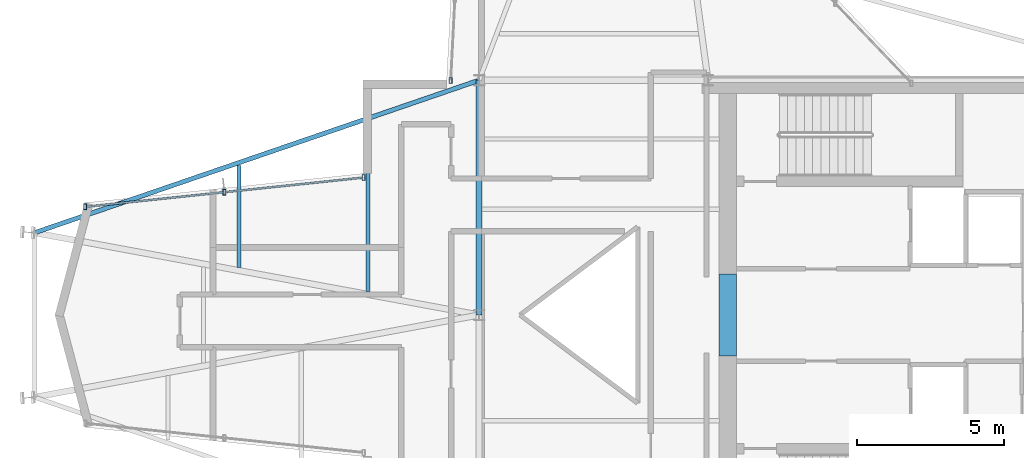
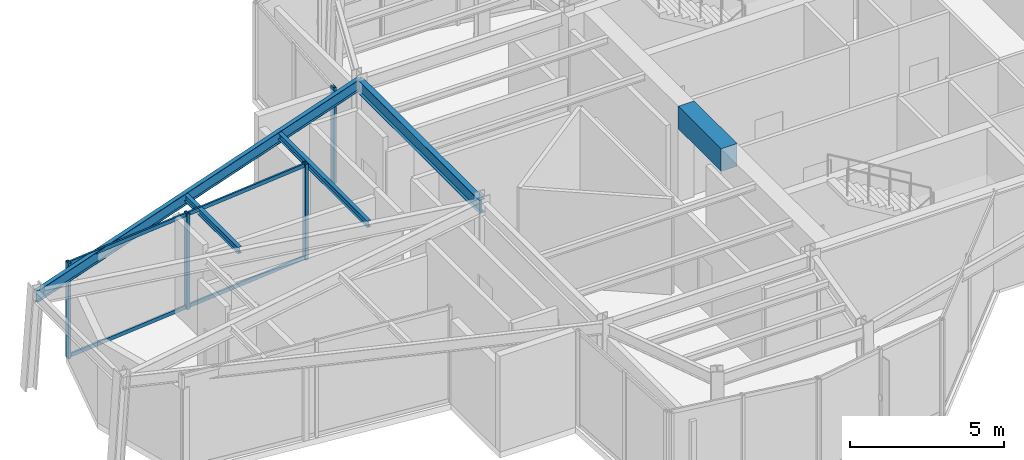
# One storey, part 4 of 14: 6 members, 5 beams, 2 elements without a shape of their own.
"""IFC4 building model written with IfcOpenShell, lengths in metres."""

import ifcopenshell
import ifcopenshell.guid

model = None  # the IFC model being written
_history = None  # IfcOwnerHistory: only IFC2X3 demands one
_inside = {}  # id of a spatial element -> (the spatial element, [elements in it])
_under = {}  # id of a project, library or spatial element -> (it, [spatial elements below it])
_declared = {}  # id of a project -> (the project, [libraries it declares])
_typed = {}  # id of a type object -> (the type object, [elements of that type])
_made_of = {}  # id of a material, layer set ... -> (it, [elements and type objects made of it])


def new_model(schema):
    """Start an empty IFC model of exactly this schema.

    Asked for "IFC4X3", IfcOpenShell would pick the latest addendum, in which some entities
    have other attributes; the version numbers below select the first issue.
    IFC2X3 requires an IfcOwnerHistory on every rooted entity: one is made here for all.
    """
    global model, _history
    if schema == "IFC4X3":
        model = ifcopenshell.file(schema_version=(4, 3, 0, 0))
    else:
        model = ifcopenshell.file(schema=schema)
    _inside.clear()
    _under.clear()
    _declared.clear()
    _typed.clear()
    _made_of.clear()
    _history = None
    if model.schema == "IFC2X3":
        org = make("IfcOrganization", Name="unknown")
        user = make(
            "IfcPersonAndOrganization",
            ThePerson=make("IfcPerson", FamilyName="unknown"),
            TheOrganization=org,
        )
        app = make(
            "IfcApplication",
            ApplicationDeveloper=org,
            Version="unknown",
            ApplicationFullName="unknown",
            ApplicationIdentifier="unknown",
        )
        _history = make(
            "IfcOwnerHistory",
            OwningUser=user,
            OwningApplication=app,
            ChangeAction="ADDED",
            CreationDate=0,
        )
    return model


def make(cls, **values):
    """One entity of the class cls with the attributes given. An attribute that is None is left unset."""
    return model.create_entity(
        cls, **{name: value for name, value in values.items() if value is not None}
    )


def rooted(cls, **values):
    """An entity with a GlobalId (a new one), such as an element, a storey or a relation."""
    return make(cls, GlobalId=ifcopenshell.guid.new(), OwnerHistory=_history, **values)


def si_unit(unit_type, name, prefix=None):
    """IfcSIUnit, for example si_unit("LENGTHUNIT", "METRE", prefix="MILLI")."""
    return make("IfcSIUnit", UnitType=unit_type, Prefix=prefix, Name=name)


def assignment(units):
    """IfcUnitAssignment: the units of a project."""
    return None if units is None else make("IfcUnitAssignment", Units=units)


def point(xyz):
    """IfcCartesianPoint."""
    return None if xyz is None else make("IfcCartesianPoint", Coordinates=xyz)


def direction(xyz):
    """IfcDirection."""
    return None if xyz is None else make("IfcDirection", DirectionRatios=xyz)


def frame(location, z_axis=None, x_axis=None):
    """IfcAxis2Placement3D, a coordinate frame: its origin and axes. An axis left out is left unset."""
    return make(
        "IfcAxis2Placement3D",
        Location=point(location),
        Axis=direction(z_axis),
        RefDirection=direction(x_axis),
    )


def frame_2d(location, x_axis=None):
    """IfcAxis2Placement2D, a coordinate frame in the plane: its origin and x axis."""
    return make(
        "IfcAxis2Placement2D", Location=point(location), RefDirection=direction(x_axis)
    )


def origin():
    """The frame at (0, 0, 0) with its axes left unset."""
    return frame((0.0, 0.0, 0.0))


def origin_2d():
    """The frame at (0, 0) in the plane with its x axis left unset."""
    return frame_2d((0.0, 0.0))


def place(relative_to, where):
    """IfcLocalPlacement: puts the frame where relative to a parent placement (None: the world)."""
    return make(
        "IfcLocalPlacement", PlacementRelTo=relative_to, RelativePlacement=where
    )


def context(
    kind, dimensions, precision=None, world=None, true_north=None, identifier=None
):
    """IfcGeometricRepresentationContext, for example the 3D "Model" context."""
    return make(
        "IfcGeometricRepresentationContext",
        ContextIdentifier=identifier,
        ContextType=kind,
        CoordinateSpaceDimension=dimensions,
        Precision=precision,
        WorldCoordinateSystem=world,
        TrueNorth=true_north,
    )


def subcontext(parent, identifier, kind, view, scale=None):
    """IfcGeometricRepresentationSubContext, for example "Body" below "Model"."""
    return make(
        "IfcGeometricRepresentationSubContext",
        ContextIdentifier=identifier,
        ContextType=kind,
        ParentContext=parent,
        TargetScale=scale,
        TargetView=view,
    )


def project(units=None, contexts=None):
    """IfcProject with its units and contexts."""
    return rooted(
        "IfcProject",
        Name="project",
        RepresentationContexts=contexts,
        UnitsInContext=assignment(units),
    )


def spatial(cls, under=None, at=None, **own):
    """A site, building, storey or space (cls), placed at a placement, below another one or the project."""
    s = rooted(cls, ObjectPlacement=at, **own)
    if under is not None:
        _under.setdefault(under.id(), (under, []))[1].append(s)
    return s


def profile(cls, at=None, kind="AREA", **sizes):
    """A parametric profile (cls). Its sizes go by their IFC names, for example OverallWidth=200.0."""
    return make(cls, ProfileType=kind, Position=at, **sizes)


def rectangle(**sizes):
    """IfcRectangleProfileDef."""
    return profile("IfcRectangleProfileDef", **sizes)


def hollow_rectangle(**sizes):
    """IfcRectangleHollowProfileDef."""
    return profile("IfcRectangleHollowProfileDef", **sizes)


def i_section(**sizes):
    """IfcIShapeProfileDef."""
    return profile("IfcIShapeProfileDef", **sizes)


def extrude(swept, where, along, depth):
    """IfcExtrudedAreaSolid: the profile swept, set in the frame where, extruded along a direction by depth."""
    return make(
        "IfcExtrudedAreaSolid",
        SweptArea=swept,
        Position=where,
        ExtrudedDirection=direction(along),
        Depth=depth,
    )


def shape(context_of_items, identifier, shape_type, items):
    """IfcShapeRepresentation: the items that make up one representation, for example the "Body"."""
    return make(
        "IfcShapeRepresentation",
        ContextOfItems=context_of_items,
        RepresentationIdentifier=identifier,
        RepresentationType=shape_type,
        Items=items,
    )


def material(Name=None, Category=None):
    """IfcMaterial."""
    return make("IfcMaterial", Name=Name, Category=Category)


def layer(
    of_material, thickness, ventilated=None, Name=None, Category=None, Priority=None
):
    """IfcMaterialLayer: one layer of a wall or slab, of a material (None: an air gap)."""
    return make(
        "IfcMaterialLayer",
        Material=of_material,
        LayerThickness=thickness,
        IsVentilated=ventilated,
        Name=Name,
        Category=Category,
        Priority=Priority,
    )


def layer_set(layers, Name=None):
    """IfcMaterialLayerSet."""
    return make("IfcMaterialLayerSet", MaterialLayers=layers, LayerSetName=Name)


def material_profile(
    of_material, cross_section, Name=None, Category=None, Priority=None
):
    """IfcMaterialProfile: a cross section and its material."""
    return make(
        "IfcMaterialProfile",
        Name=Name,
        Material=of_material,
        Profile=cross_section,
        Priority=Priority,
        Category=Category,
    )


def profile_set(profiles, Name=None, composite=None):
    """IfcMaterialProfileSet."""
    return make(
        "IfcMaterialProfileSet",
        Name=Name,
        MaterialProfiles=profiles,
        CompositeProfile=composite,
    )


def made_of(thing, what):
    """Note that an element or type object is made of a material, layer set ...; save() writes the relation."""
    if what is not None:
        _made_of.setdefault(what.id(), (what, []))[1].append(thing)
    return thing


def type_object(cls, material=None, **own):
    """A type object (cls), such as IfcWallType, which elements share."""
    return made_of(rooted(cls, **own), material)


def element(
    cls,
    number,
    at=None,
    inside=None,
    cuts=None,
    type_object=None,
    material=None,
    context=None,
    identifier="Body",
    shape_type=None,
    held_by="IfcProductDefinitionShape",
    body=None,
    shapes=None,
    **own,
):
    """One element of the class cls, such as IfcWall. Its Tag is "e" and its number.

    at: its placement. inside: the storey or other place that contains it. cuts: it is an
    opening in that element (IfcRelVoidsElement). A single representation is given by context,
    identifier, shape_type and body (its items); several are given by shapes. held_by: the class
    of the entity that holds the representations. save() writes the other relations.
    """
    e = rooted(cls, Tag="e%d" % number, ObjectPlacement=at, **own)
    if body is not None:
        shapes = [shape(context, identifier, shape_type, body)]
    if shapes is not None:
        e.Representation = make(held_by, Representations=shapes)
    if inside is not None:
        _inside.setdefault(inside.id(), (inside, []))[1].append(e)
    if cuts is not None:
        rooted(
            "IfcRelVoidsElement", RelatingBuildingElement=cuts, RelatedOpeningElement=e
        )
    if type_object is not None:
        _typed.setdefault(type_object.id(), (type_object, []))[1].append(e)
    return made_of(e, material)


def aggregate(whole, parts):
    """IfcRelAggregates: a whole, such as a stair, and the parts it consists of."""
    return rooted("IfcRelAggregates", RelatingObject=whole, RelatedObjects=parts)


def save(model, path):
    """Write the relations noted so far, then the file.

    IfcRelAggregates (storeys below a building ...), IfcRelContainedInSpatialStructure (elements
    in a storey), IfcRelDefinesByType, IfcRelAssociatesMaterial and IfcRelDeclares: one each for
    every whole, place, type object, material and project.
    """
    for whole, parts in _under.values():
        aggregate(whole, parts)
    for where, things in _inside.values():
        rooted(
            "IfcRelContainedInSpatialStructure",
            RelatedElements=things,
            RelatingStructure=where,
        )
    for kind, things in _typed.values():
        rooted("IfcRelDefinesByType", RelatedObjects=things, RelatingType=kind)
    for what, things in _made_of.values():
        rooted("IfcRelAssociatesMaterial", RelatedObjects=things, RelatingMaterial=what)
    for by, libraries in _declared.values():
        rooted("IfcRelDeclares", RelatingContext=by, RelatedDefinitions=libraries)
    model.write(path)


model = new_model("IFC4")

# Units and contexts
model_context = context("Model", 3, precision=1e-05, world=origin(), true_north=direction((0.0, 1.0)))
body_context = subcontext(model_context, "Body", "Model", "MODEL_VIEW")
ifc_project = project(units=[si_unit("LENGTHUNIT", "METRE"), si_unit("AREAUNIT", "SQUARE_METRE"), si_unit("VOLUMEUNIT", "CUBIC_METRE"), si_unit("PLANEANGLEUNIT", "RADIAN"), si_unit("MASSUNIT", "GRAM", prefix="KILO")], contexts=[model_context])

# Site, building, storey
site_placement = place(None, origin())
site = spatial("IfcSite", under=ifc_project, at=site_placement, CompositionType="ELEMENT")
building_placement = place(site_placement, origin())
building = spatial("IfcBuilding", under=site, at=building_placement, Name="Veymaron Broadcast Tower", CompositionType="ELEMENT")
storey_placement = place(building_placement, frame((0.0, 0.0, 299.25)))
storey = spatial("IfcBuildingStorey", under=building, at=storey_placement, Name="L70", CompositionType="ELEMENT", Elevation=299.25)

# Beams
ifc_material_1 = material(Name="Concrete C60/75", Category="concrete")
ifc_material_profile_1 = material_profile(ifc_material_1, rectangle(XDim=0.60009765625, YDim=0.89990234375, at=origin_2d()), Name="RC600X900")
ifc_profile_set_1 = profile_set([ifc_material_profile_1], Name="Concrete C60/75")
beam_type_1 = type_object("IfcBeamType", Name="BM-CB2", PredefinedType="LINTEL", material=ifc_profile_set_1)
beam_1_placement = place(storey_placement, frame((39.679931640625, 22.60009765625, 3.360107421875), z_axis=(0.0, 1.0, 0.0), x_axis=(-1.0, 0.0, 0.0)))
element("IfcBeam", 1, at=beam_1_placement, inside=storey, type_object=beam_type_1, Name="L70 Core Wall west coupling beam", PredefinedType="LINTEL", context=body_context, shape_type="SweptSolid", body=[
    extrude(rectangle(XDim=0.60009765625, YDim=0.89990234375, at=origin_2d()), origin(), (0.0, 0.0, 1.0), 2.7998046875),
])
ifc_material_2 = material(Name="Structural steel ASTM A992 Gr 50", Category="steel")
ifc_material_profile_2 = material_profile(ifc_material_2, i_section(OverallWidth=0.208984375, OverallDepth=0.528076171875, WebThickness=0.009521484375, FlangeThickness=0.01318359375, at=origin_2d()), Name="W530X82")
ifc_profile_set_2 = profile_set([ifc_material_profile_2], Name="Structural steel ASTM A992 Gr 50")
beam_type_2 = type_object("IfcBeamType", Name="BM-FG4", PredefinedType="BEAM", material=ifc_profile_set_2)
beam_2_placement = place(storey_placement, frame((31.199951171875, 24.0, 3.5458984375), z_axis=(0.0, 1.0, 0.0), x_axis=(-1.0, 0.0, 0.0)))
element("IfcBeam", 2, at=beam_2_placement, inside=storey, type_object=beam_type_2, Name="L70 primary structural floor girder", PredefinedType="BEAM", context=body_context, shape_type="SweptSolid", body=[
    extrude(i_section(OverallWidth=0.208984375, OverallDepth=0.528076171875, WebThickness=0.009521484375, FlangeThickness=0.01318359375, at=origin_2d()), origin(), (0.0, 0.0, 1.0), 8.0),
])
ifc_material_profile_3 = material_profile(ifc_material_2, i_section(OverallWidth=0.14599609375, OverallDepth=0.258056640625, WebThickness=0.006103515625, FlangeThickness=0.009033203125, at=origin_2d()), Name="W250X33")
ifc_profile_set_3 = profile_set([ifc_material_profile_3], Name="Structural steel ASTM A992 Gr 50")
beam_type_3 = type_object("IfcBeamType", Name="BM-JS4", PredefinedType="JOIST", material=ifc_profile_set_3)
beam_3_placement = place(storey_placement, frame((23.020263671875, 25.613037109375, 3.680908203125), z_axis=(0.0, 1.0, 0.0), x_axis=(-1.0, 0.0, 0.0)))
element("IfcBeam", 3, at=beam_3_placement, inside=storey, type_object=beam_type_3, Name="L70 Arm-A secondary joist 1N", PredefinedType="JOIST", context=body_context, shape_type="SweptSolid", body=[
    extrude(i_section(OverallWidth=0.14599609375, OverallDepth=0.258056640625, WebThickness=0.006103515625, FlangeThickness=0.009033203125, at=origin_2d()), origin(), (0.0, 0.0, 1.0), 3.47998046875),
])
beam_4_placement = place(storey_placement, frame((27.4130859375, 24.800537109375, 3.680908203125), z_axis=(0.0, 1.0, 0.0), x_axis=(-1.0, 0.0, 0.0)))
element("IfcBeam", 4, at=beam_4_placement, inside=storey, type_object=beam_type_3, Name="L70 Arm-A secondary joist 2N", PredefinedType="JOIST", context=body_context, shape_type="SweptSolid", body=[
    extrude(i_section(OverallWidth=0.14599609375, OverallDepth=0.258056640625, WebThickness=0.006103515625, FlangeThickness=0.009033203125, at=origin_2d()), origin(), (0.0, 0.0, 1.0), 5.800048828125),
])
ifc_material_profile_4 = material_profile(ifc_material_2, i_section(OverallWidth=0.154052734375, OverallDepth=0.458984375, WebThickness=0.009033203125, FlangeThickness=0.015380859375, at=origin_2d()), Name="W460X68")
ifc_profile_set_4 = profile_set([ifc_material_profile_4], Name="Structural steel ASTM A992 Gr 50")
beam_type_4 = type_object("IfcBeamType", Name="BM-SP2", PredefinedType="SPANDREL", material=ifc_profile_set_4)
beam_5_placement = place(storey_placement, frame((16.052490234375, 26.802001953125, 3.58056640625), z_axis=(0.94585811637, 0.324580380949, 0.0), x_axis=(-0.324580380949, 0.94585811637, 0.0)))
element("IfcBeam", 5, at=beam_5_placement, inside=storey, type_object=beam_type_4, Name="L70 primary structural floor girder", PredefinedType="SPANDREL", context=body_context, shape_type="SweptSolid", body=[
    extrude(i_section(OverallWidth=0.154052734375, OverallDepth=0.458984375, WebThickness=0.009033203125, FlangeThickness=0.015380859375, at=origin_2d()), origin(), (0.0, 0.0, 1.0), 16.014404296875),
])

# Curtain wall, member
ifc_material_3 = material(Name="Anodised aluminium AA 6063-T6 and laminated low-E dark glass", Category="aluminium")
ifc_layer = layer(ifc_material_3, 0.179931640625)
ifc_layer_set = layer_set([ifc_layer], Name="Anodised aluminium AA 6063-T6 and laminated low-E dark glass")
curtain_wall_type = type_object("IfcCurtainWallType", Name="CW-SYS-06", PredefinedType="NOTDEFINED", material=ifc_layer_set)
curtain_wall_1_placement = place(storey_placement, origin())
curtain_wall_1 = element("IfcCurtainWall", 6, at=curtain_wall_1_placement, inside=storey, type_object=curtain_wall_type, Name="L70 dark-glass curtain wall CW-L70-E8-1", PredefinedType="NOTDEFINED")
ifc_material_4 = material(Name="Anodised aluminium AA 6063-T6", Category="aluminium")
ifc_material_profile_5 = material_profile(ifc_material_4, hollow_rectangle(XDim=0.10009765625, YDim=0.199951171875, WallThickness=0.010009765625, at=origin_2d()), Name="RHS200X100X10")
ifc_profile_set_5 = profile_set([ifc_material_profile_5], Name="Anodised aluminium AA 6063-T6")
member_type_1 = type_object("IfcMemberType", Name="CW-MUL-01", PredefinedType="MULLION", material=ifc_profile_set_5)
member_1_placement = place(storey_placement, frame((30.23046875, 31.992919921875, 0.0), z_axis=(0.0, 0.0, 1.0), x_axis=(1.0, 0.0, 0.0)))
member_1 = element("IfcMember", 7, at=member_1_placement, type_object=member_type_1, Name="CW-L70-E8-1 mullion 2", PredefinedType="MULLION", context=body_context, shape_type="SweptSolid", body=[
    extrude(hollow_rectangle(XDim=0.10009765625, YDim=0.199951171875, WallThickness=0.010009765625, at=origin_2d()), origin(), (0.0, 0.0, 1.0), 3.81005859375),
])
aggregate(curtain_wall_1, [member_1])

# Curtain wall, members
curtain_wall_2_placement = place(storey_placement, origin())
curtain_wall_2 = element("IfcCurtainWall", 8, at=curtain_wall_2_placement, inside=storey, type_object=curtain_wall_type, Name="L70 dark-glass curtain wall CW-L70-E11-1", PredefinedType="NOTDEFINED")
member_2_placement = place(storey_placement, frame((27.26416015625, 28.683837890625, 0.0), z_axis=(0.0, 0.0, 1.0), x_axis=(1.0, 0.0, 0.0)))
member_2 = element("IfcMember", 9, at=member_2_placement, type_object=member_type_1, Name="CW-L70-E11-1 mullion 0", PredefinedType="MULLION", context=body_context, shape_type="SweptSolid", body=[
    extrude(hollow_rectangle(XDim=0.10009765625, YDim=0.199951171875, WallThickness=0.010009765625, at=origin_2d()), origin(), (0.0, 0.0, 1.0), 3.81005859375),
])
member_3_placement = place(storey_placement, frame((22.519287109375, 28.18505859375, 0.0), z_axis=(0.0, 0.0, 1.0), x_axis=(1.0, 0.0, 0.0)))
member_3 = element("IfcMember", 10, at=member_3_placement, type_object=member_type_1, Name="CW-L70-E11-1 mullion 1", PredefinedType="MULLION", context=body_context, shape_type="SweptSolid", body=[
    extrude(hollow_rectangle(XDim=0.10009765625, YDim=0.199951171875, WallThickness=0.010009765625, at=origin_2d()), origin(), (0.0, 0.0, 1.0), 3.81005859375),
])
member_4_placement = place(storey_placement, frame((17.774658203125, 27.68603515625, 0.0), z_axis=(0.0, 0.0, 1.0), x_axis=(1.0, 0.0, 0.0)))
member_4 = element("IfcMember", 11, at=member_4_placement, type_object=member_type_1, Name="CW-L70-E11-1 mullion 2", PredefinedType="MULLION", context=body_context, shape_type="SweptSolid", body=[
    extrude(hollow_rectangle(XDim=0.10009765625, YDim=0.199951171875, WallThickness=0.010009765625, at=origin_2d()), origin(), (0.0, 0.0, 1.0), 3.81005859375),
])
ifc_material_profile_6 = material_profile(ifc_material_4, hollow_rectangle(XDim=0.06494140625, YDim=0.14990234375, WallThickness=0.00390625, at=origin_2d()), Name="AL150X65X4")
ifc_profile_set_6 = profile_set([ifc_material_profile_6], Name="Anodised aluminium AA 6063-T6")
member_type_2 = type_object("IfcMemberType", Name="CW-TRN-01", PredefinedType="USERDEFINED", material=ifc_profile_set_6)
member_5_placement = place(storey_placement, frame((27.214599609375, 28.6787109375, 0.070068359375), z_axis=(-0.99451819669, -0.104563647854, 0.0), x_axis=(0.104563647854, -0.99451819669, 0.0)))
member_5 = element("IfcMember", 12, at=member_5_placement, type_object=member_type_2, Name="CW-L70-E11-1 transom B", ObjectType="TRANSOM", PredefinedType="USERDEFINED", context=body_context, shape_type="SweptSolid", body=[
    extrude(hollow_rectangle(XDim=0.06494140625, YDim=0.14990234375, WallThickness=0.00390625, at=origin_2d()), origin(), (0.0, 0.0, 1.0), 9.442138671875),
])
member_6_placement = place(storey_placement, frame((27.214599609375, 28.6787109375, 3.739990234375), z_axis=(-0.99451819669, -0.104563647854, 0.0), x_axis=(0.104563647854, -0.99451819669, 0.0)))
member_6 = element("IfcMember", 13, at=member_6_placement, type_object=member_type_2, Name="CW-L70-E11-1 transom T", ObjectType="TRANSOM", PredefinedType="USERDEFINED", context=body_context, shape_type="SweptSolid", body=[
    extrude(hollow_rectangle(XDim=0.06494140625, YDim=0.14990234375, WallThickness=0.00390625, at=origin_2d()), origin(), (0.0, 0.0, 1.0), 9.442138671875),
])
aggregate(curtain_wall_2, [member_2, member_3, member_4, member_5, member_6])

save(model, "model.ifc")
